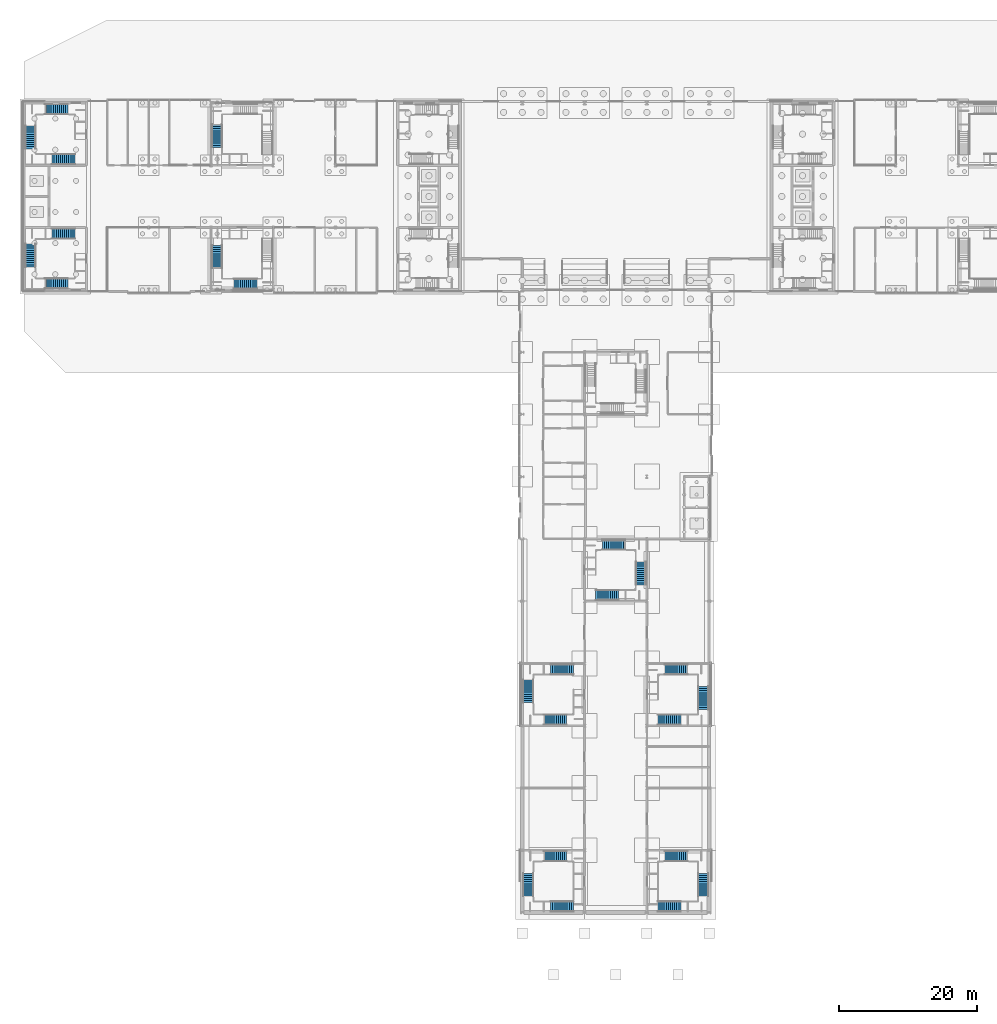
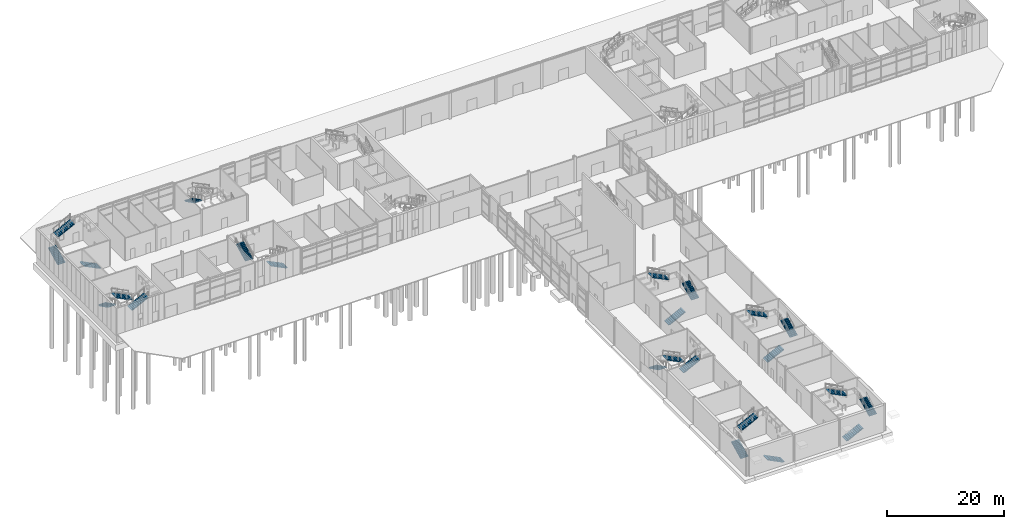
# One storey, part 34 of 45: 24 stair flights, 9 elements without a shape of their own.
"""IFC4 building model written with IfcOpenShell, lengths in metres."""

from ifc_helpers import new_model, si_unit, direction, frame, origin, place, context, subcontext, project, spatial, polyline, outline, extrude, material, type_object, element, aggregate, save


model = new_model("IFC4")

# Units and contexts
model_context = context("Model", 3, precision=1e-05, world=origin(), true_north=direction((0.0, 1.0)))
body_context = subcontext(model_context, "Body", "Model", "MODEL_VIEW")
ifc_project = project(units=[si_unit("LENGTHUNIT", "METRE"), si_unit("AREAUNIT", "SQUARE_METRE"), si_unit("VOLUMEUNIT", "CUBIC_METRE"), si_unit("PLANEANGLEUNIT", "RADIAN"), si_unit("MASSUNIT", "GRAM", prefix="KILO")], contexts=[model_context])

# Site, building, storey
site_placement = place(None, origin())
site = spatial("IfcSite", under=ifc_project, at=site_placement, CompositionType="ELEMENT")
building_placement = place(site_placement, origin())
building = spatial("IfcBuilding", under=site, at=building_placement, Name="Azimuth Sports and Learning Centre", CompositionType="ELEMENT")
storey_placement = place(building_placement, origin())
storey = spatial("IfcBuildingStorey", under=building, at=storey_placement, Name="L00", CompositionType="ELEMENT", Elevation=0.0)

# Stair, stair flights
ifc_material_1 = material(Name="Concrete C32/40", Category="concrete")
stair_type_1 = type_object("IfcStairType", Name="Square-well stair end core 5400 storey", PredefinedType="THREE_QUARTER_TURN_STAIR", material=ifc_material_1)
stair_1_placement = place(storey_placement, origin())
stair_1 = element("IfcStair", 1, at=stair_1_placement, inside=storey, type_object=stair_type_1, Name="Stair WW1 L00-L01", PredefinedType="THREE_QUARTER_TURN_STAIR")
ifc_material_2 = material(Name="Concrete C32/40", Category="concrete")
stair_flight_type = type_object("IfcStairFlightType", Name="Stair flight 12 risers", PredefinedType="STRAIGHT", material=ifc_material_2)
stair_flight_1_placement = place(storey_placement, frame((7.340087890625, 98.114990234375, 0.0), z_axis=(0.0, 0.0, 1.0), x_axis=(-1.0, 0.0, 0.0)))
stair_flight_1 = element("IfcStairFlight", 2, at=stair_flight_1_placement, type_object=stair_flight_type, Name="Stair WW1 L00 flight 1", NumberOfRisers=12, NumberOfTreads=11, PredefinedType="STRAIGHT", RiserHeight=0.15, TreadLength=0.3, context=body_context, shape_type="SweptSolid", body=[
    extrude(outline(polyline([(0.0, 0.0), (0.0, 0.14990234375), (0.300048828125, 0.14990234375), (0.300048828125, 0.300048828125), (0.60009765625, 0.300048828125), (0.60009765625, 0.449951171875), (0.89990234375, 0.449951171875), (0.89990234375, 0.60009765625), (1.199951171875, 0.60009765625), (1.199951171875, 0.75), (1.5, 0.75), (1.5, 0.89990234375), (1.800048828125, 0.89990234375), (1.800048828125, 1.050048828125), (2.10009765625, 1.050048828125), (2.10009765625, 1.199951171875), (2.39990234375, 1.199951171875), (2.39990234375, 1.35009765625), (2.699951171875, 1.35009765625), (2.699951171875, 1.5), (3.0, 1.5), (3.0, 1.64990234375), (3.300048828125, 1.64990234375), (3.300048828125, 1.800048828125), (3.300048828125, 1.482421875), (0.335205078125, 0.0), (0.0, 0.0)])), frame((0.0, 0.75, 0.0), z_axis=(0.0, -1.0, 0.0), x_axis=(1.0, 0.0, 0.0)), (0.0, 0.0, 1.0), 1.5),
])
stair_flight_2_placement = place(storey_placement, frame((0.909912109375, 96.614990234375, 1.800048828125), z_axis=(0.0, 0.0, 1.0), x_axis=(0.0, -1.0, 0.0)))
stair_flight_2 = element("IfcStairFlight", 3, at=stair_flight_2_placement, type_object=stair_flight_type, Name="Stair WW1 L00 flight 2", NumberOfRisers=12, NumberOfTreads=11, PredefinedType="STRAIGHT", RiserHeight=0.15, TreadLength=0.3, context=body_context, shape_type="SweptSolid", body=[
    extrude(outline(polyline([(0.0, 0.0), (0.0, 0.14990234375), (0.300048828125, 0.14990234375), (0.300048828125, 0.300048828125), (0.60009765625, 0.300048828125), (0.60009765625, 0.449951171875), (0.89990234375, 0.449951171875), (0.89990234375, 0.60009765625), (1.199951171875, 0.60009765625), (1.199951171875, 0.75), (1.5, 0.75), (1.5, 0.89990234375), (1.800048828125, 0.89990234375), (1.800048828125, 1.050048828125), (2.10009765625, 1.050048828125), (2.10009765625, 1.199951171875), (2.39990234375, 1.199951171875), (2.39990234375, 1.35009765625), (2.699951171875, 1.35009765625), (2.699951171875, 1.5), (3.0, 1.5), (3.0, 1.64990234375), (3.300048828125, 1.64990234375), (3.300048828125, 1.800048828125), (3.300048828125, 1.482421875), (0.335205078125, 0.0), (0.0, 0.0)])), frame((0.0, 0.75, 0.0), z_axis=(0.0, -1.0, 0.0), x_axis=(1.0, 0.0, 0.0)), (0.0, 0.0, 1.0), 1.5),
])
stair_flight_3_placement = place(storey_placement, frame((3.010009765625, 90.909912109375, 3.60009765625), z_axis=(0.0, 0.0, 1.0), x_axis=(1.0, 0.0, 0.0)))
stair_flight_3 = element("IfcStairFlight", 4, at=stair_flight_3_placement, type_object=stair_flight_type, Name="Stair WW1 L00 flight 3", NumberOfRisers=12, NumberOfTreads=11, PredefinedType="STRAIGHT", RiserHeight=0.15, TreadLength=0.3, context=body_context, shape_type="SweptSolid", body=[
    extrude(outline(polyline([(0.0, 0.0), (0.0, 0.14990234375), (0.300048828125, 0.14990234375), (0.300048828125, 0.300048828125), (0.60009765625, 0.300048828125), (0.60009765625, 0.449951171875), (0.89990234375, 0.449951171875), (0.89990234375, 0.60009765625), (1.199951171875, 0.60009765625), (1.199951171875, 0.75), (1.5, 0.75), (1.5, 0.89990234375), (1.800048828125, 0.89990234375), (1.800048828125, 1.050048828125), (2.10009765625, 1.050048828125), (2.10009765625, 1.199951171875), (2.39990234375, 1.199951171875), (2.39990234375, 1.35009765625), (2.699951171875, 1.35009765625), (2.699951171875, 1.5), (3.0, 1.5), (3.0, 1.64990234375), (3.300048828125, 1.64990234375), (3.300048828125, 1.800048828125), (3.300048828125, 1.482421875), (0.335205078125, 0.0), (0.0, 0.0)])), frame((0.0, 0.75, 0.0), z_axis=(0.0, -1.0, 0.0), x_axis=(1.0, 0.0, 0.0)), (0.0, 0.0, 1.0), 1.5),
])
aggregate(stair_1, [stair_flight_1, stair_flight_2, stair_flight_3])

stair_2_placement = place(storey_placement, origin())
stair_2 = element("IfcStair", 5, at=stair_2_placement, inside=storey, type_object=stair_type_1, Name="Stair WW2 L00-L01", PredefinedType="THREE_QUARTER_TURN_STAIR")
stair_flight_4_placement = place(storey_placement, frame((7.340087890625, 108.885009765625, 0.0), z_axis=(0.0, 0.0, 1.0), x_axis=(-1.0, 0.0, 0.0)))
stair_flight_4 = element("IfcStairFlight", 6, at=stair_flight_4_placement, type_object=stair_flight_type, Name="Stair WW2 L00 flight 1", NumberOfRisers=12, NumberOfTreads=11, PredefinedType="STRAIGHT", RiserHeight=0.15, TreadLength=0.3, context=body_context, shape_type="SweptSolid", body=[
    extrude(outline(polyline([(0.0, 0.0), (0.0, 0.14990234375), (0.300048828125, 0.14990234375), (0.300048828125, 0.300048828125), (0.60009765625, 0.300048828125), (0.60009765625, 0.449951171875), (0.89990234375, 0.449951171875), (0.89990234375, 0.60009765625), (1.199951171875, 0.60009765625), (1.199951171875, 0.75), (1.5, 0.75), (1.5, 0.89990234375), (1.800048828125, 0.89990234375), (1.800048828125, 1.050048828125), (2.10009765625, 1.050048828125), (2.10009765625, 1.199951171875), (2.39990234375, 1.199951171875), (2.39990234375, 1.35009765625), (2.699951171875, 1.35009765625), (2.699951171875, 1.5), (3.0, 1.5), (3.0, 1.64990234375), (3.300048828125, 1.64990234375), (3.300048828125, 1.800048828125), (3.300048828125, 1.482421875), (0.335205078125, 0.0), (0.0, 0.0)])), frame((0.0, 0.75, 0.0), z_axis=(0.0, -1.0, 0.0), x_axis=(1.0, 0.0, 0.0)), (0.0, 0.0, 1.0), 1.5),
])
stair_flight_5_placement = place(storey_placement, frame((0.909912109375, 110.385009765625, 1.800048828125), z_axis=(0.0, 0.0, 1.0), x_axis=(0.0, 1.0, 0.0)))
stair_flight_5 = element("IfcStairFlight", 7, at=stair_flight_5_placement, type_object=stair_flight_type, Name="Stair WW2 L00 flight 2", NumberOfRisers=12, NumberOfTreads=11, PredefinedType="STRAIGHT", RiserHeight=0.15, TreadLength=0.3, context=body_context, shape_type="SweptSolid", body=[
    extrude(outline(polyline([(0.0, 0.0), (0.0, 0.14990234375), (0.300048828125, 0.14990234375), (0.300048828125, 0.300048828125), (0.60009765625, 0.300048828125), (0.60009765625, 0.449951171875), (0.89990234375, 0.449951171875), (0.89990234375, 0.60009765625), (1.199951171875, 0.60009765625), (1.199951171875, 0.75), (1.5, 0.75), (1.5, 0.89990234375), (1.800048828125, 0.89990234375), (1.800048828125, 1.050048828125), (2.10009765625, 1.050048828125), (2.10009765625, 1.199951171875), (2.39990234375, 1.199951171875), (2.39990234375, 1.35009765625), (2.699951171875, 1.35009765625), (2.699951171875, 1.5), (3.0, 1.5), (3.0, 1.64990234375), (3.300048828125, 1.64990234375), (3.300048828125, 1.800048828125), (3.300048828125, 1.482421875), (0.335205078125, 0.0), (0.0, 0.0)])), frame((0.0, 0.75, 0.0), z_axis=(0.0, -1.0, 0.0), x_axis=(1.0, 0.0, 0.0)), (0.0, 0.0, 1.0), 1.5),
])
stair_flight_6_placement = place(storey_placement, frame((3.010009765625, 116.090087890625, 3.60009765625), z_axis=(0.0, 0.0, 1.0), x_axis=(1.0, 0.0, 0.0)))
stair_flight_6 = element("IfcStairFlight", 8, at=stair_flight_6_placement, type_object=stair_flight_type, Name="Stair WW2 L00 flight 3", NumberOfRisers=12, NumberOfTreads=11, PredefinedType="STRAIGHT", RiserHeight=0.15, TreadLength=0.3, context=body_context, shape_type="SweptSolid", body=[
    extrude(outline(polyline([(0.0, 0.0), (0.0, 0.14990234375), (0.300048828125, 0.14990234375), (0.300048828125, 0.300048828125), (0.60009765625, 0.300048828125), (0.60009765625, 0.449951171875), (0.89990234375, 0.449951171875), (0.89990234375, 0.60009765625), (1.199951171875, 0.60009765625), (1.199951171875, 0.75), (1.5, 0.75), (1.5, 0.89990234375), (1.800048828125, 0.89990234375), (1.800048828125, 1.050048828125), (2.10009765625, 1.050048828125), (2.10009765625, 1.199951171875), (2.39990234375, 1.199951171875), (2.39990234375, 1.35009765625), (2.699951171875, 1.35009765625), (2.699951171875, 1.5), (3.0, 1.5), (3.0, 1.64990234375), (3.300048828125, 1.64990234375), (3.300048828125, 1.800048828125), (3.300048828125, 1.482421875), (0.335205078125, 0.0), (0.0, 0.0)])), frame((0.0, 0.75, 0.0), z_axis=(0.0, -1.0, 0.0), x_axis=(1.0, 0.0, 0.0)), (0.0, 0.0, 1.0), 1.5),
])
aggregate(stair_2, [stair_flight_4, stair_flight_5, stair_flight_6])

ifc_material_3 = material(Name="Concrete C32/40", Category="concrete")
stair_type_2 = type_object("IfcStairType", Name="Square-well stair mid-wing cell 5400 storey", PredefinedType="THREE_QUARTER_TURN_STAIR", material=ifc_material_3)
stair_3_placement = place(storey_placement, origin())
stair_3 = element("IfcStair", 9, at=stair_3_placement, inside=storey, type_object=stair_type_2, Name="Stair WM1 L00-L01", PredefinedType="THREE_QUARTER_TURN_STAIR")
stair_flight_7_placement = place(storey_placement, frame((33.639892578125, 90.860107421875, 1.800048828125), z_axis=(0.0, 0.0, 1.0), x_axis=(-1.0, 0.0, 0.0)))
stair_flight_7 = element("IfcStairFlight", 10, at=stair_flight_7_placement, type_object=stair_flight_type, Name="Stair WM1 L00 flight 2", NumberOfRisers=12, NumberOfTreads=11, PredefinedType="STRAIGHT", RiserHeight=0.15, TreadLength=0.3, context=body_context, shape_type="SweptSolid", body=[
    extrude(outline(polyline([(0.0, 0.0), (0.0, 0.14990234375), (0.300048828125, 0.14990234375), (0.300048828125, 0.300048828125), (0.60009765625, 0.300048828125), (0.60009765625, 0.449951171875), (0.89990234375, 0.449951171875), (0.89990234375, 0.60009765625), (1.199951171875, 0.60009765625), (1.199951171875, 0.75), (1.5, 0.75), (1.5, 0.89990234375), (1.800048828125, 0.89990234375), (1.800048828125, 1.050048828125), (2.10009765625, 1.050048828125), (2.10009765625, 1.199951171875), (2.39990234375, 1.199951171875), (2.39990234375, 1.35009765625), (2.699951171875, 1.35009765625), (2.699951171875, 1.5), (3.0, 1.5), (3.0, 1.64990234375), (3.300048828125, 1.64990234375), (3.300048828125, 1.800048828125), (3.300048828125, 1.482421875), (0.335205078125, 0.0), (0.0, 0.0)])), frame((0.0, 0.75, 0.0), z_axis=(0.0, -1.0, 0.0), x_axis=(1.0, 0.0, 0.0)), (0.0, 0.0, 1.0), 1.5),
])
stair_flight_8_placement = place(storey_placement, frame((27.860107421875, 93.110107421875, 3.60009765625), z_axis=(0.0, 0.0, 1.0), x_axis=(0.0, 1.0, 0.0)))
stair_flight_8 = element("IfcStairFlight", 11, at=stair_flight_8_placement, type_object=stair_flight_type, Name="Stair WM1 L00 flight 3", NumberOfRisers=12, NumberOfTreads=11, PredefinedType="STRAIGHT", RiserHeight=0.15, TreadLength=0.3, context=body_context, shape_type="SweptSolid", body=[
    extrude(outline(polyline([(0.0, 0.0), (0.0, 0.14990234375), (0.300048828125, 0.14990234375), (0.300048828125, 0.300048828125), (0.60009765625, 0.300048828125), (0.60009765625, 0.449951171875), (0.89990234375, 0.449951171875), (0.89990234375, 0.60009765625), (1.199951171875, 0.60009765625), (1.199951171875, 0.75), (1.5, 0.75), (1.5, 0.89990234375), (1.800048828125, 0.89990234375), (1.800048828125, 1.050048828125), (2.10009765625, 1.050048828125), (2.10009765625, 1.199951171875), (2.39990234375, 1.199951171875), (2.39990234375, 1.35009765625), (2.699951171875, 1.35009765625), (2.699951171875, 1.5), (3.0, 1.5), (3.0, 1.64990234375), (3.300048828125, 1.64990234375), (3.300048828125, 1.800048828125), (3.300048828125, 1.482421875), (0.335205078125, 0.0), (0.0, 0.0)])), frame((0.0, 0.75, 0.0), z_axis=(0.0, -1.0, 0.0), x_axis=(1.0, 0.0, 0.0)), (0.0, 0.0, 1.0), 1.5),
])
aggregate(stair_3, [stair_flight_7, stair_flight_8])

# Stair, stair flight
stair_4_placement = place(storey_placement, origin())
stair_4 = element("IfcStair", 12, at=stair_4_placement, inside=storey, type_object=stair_type_2, Name="Stair WM2 L00-L01", PredefinedType="THREE_QUARTER_TURN_STAIR")
stair_flight_9_placement = place(storey_placement, frame((27.860107421875, 113.889892578125, 3.60009765625), z_axis=(0.0, 0.0, 1.0), x_axis=(0.0, -1.0, 0.0)))
stair_flight_9 = element("IfcStairFlight", 13, at=stair_flight_9_placement, type_object=stair_flight_type, Name="Stair WM2 L00 flight 3", NumberOfRisers=12, NumberOfTreads=11, PredefinedType="STRAIGHT", RiserHeight=0.15, TreadLength=0.3, context=body_context, shape_type="SweptSolid", body=[
    extrude(outline(polyline([(0.0, 0.0), (0.0, 0.14990234375), (0.300048828125, 0.14990234375), (0.300048828125, 0.300048828125), (0.60009765625, 0.300048828125), (0.60009765625, 0.449951171875), (0.89990234375, 0.449951171875), (0.89990234375, 0.60009765625), (1.199951171875, 0.60009765625), (1.199951171875, 0.75), (1.5, 0.75), (1.5, 0.89990234375), (1.800048828125, 0.89990234375), (1.800048828125, 1.050048828125), (2.10009765625, 1.050048828125), (2.10009765625, 1.199951171875), (2.39990234375, 1.199951171875), (2.39990234375, 1.35009765625), (2.699951171875, 1.35009765625), (2.699951171875, 1.5), (3.0, 1.5), (3.0, 1.64990234375), (3.300048828125, 1.64990234375), (3.300048828125, 1.800048828125), (3.300048828125, 1.482421875), (0.335205078125, 0.0), (0.0, 0.0)])), frame((0.0, 0.75, 0.0), z_axis=(0.0, -1.0, 0.0), x_axis=(1.0, 0.0, 0.0)), (0.0, 0.0, 1.0), 1.5),
])
aggregate(stair_4, [stair_flight_9])

# Stair, stair flights
ifc_material_4 = material(Name="Concrete C32/40", Category="concrete")
stair_type_3 = type_object("IfcStairType", Name="Square-well stair stem cell 5400 storey", PredefinedType="THREE_QUARTER_TURN_STAIR", material=ifc_material_4)
stair_5_placement = place(storey_placement, origin())
stair_5 = element("IfcStair", 14, at=stair_5_placement, inside=storey, type_object=stair_type_3, Name="Stair ST1 L00-L01", PredefinedType="THREE_QUARTER_TURN_STAIR")
stair_flight_10_placement = place(storey_placement, frame((79.389892578125, 0.860107421875, 0.0), z_axis=(0.0, 0.0, 1.0), x_axis=(-1.0, 0.0, 0.0)))
stair_flight_10 = element("IfcStairFlight", 15, at=stair_flight_10_placement, type_object=stair_flight_type, Name="Stair ST1 L00 flight 1", NumberOfRisers=12, NumberOfTreads=11, PredefinedType="STRAIGHT", RiserHeight=0.15, TreadLength=0.3, context=body_context, shape_type="SweptSolid", body=[
    extrude(outline(polyline([(0.0, 0.0), (0.0, 0.14990234375), (0.300048828125, 0.14990234375), (0.300048828125, 0.300048828125), (0.60009765625, 0.300048828125), (0.60009765625, 0.449951171875), (0.89990234375, 0.449951171875), (0.89990234375, 0.60009765625), (1.199951171875, 0.60009765625), (1.199951171875, 0.75), (1.5, 0.75), (1.5, 0.89990234375), (1.800048828125, 0.89990234375), (1.800048828125, 1.050048828125), (2.10009765625, 1.050048828125), (2.10009765625, 1.199951171875), (2.39990234375, 1.199951171875), (2.39990234375, 1.35009765625), (2.699951171875, 1.35009765625), (2.699951171875, 1.5), (3.0, 1.5), (3.0, 1.64990234375), (3.300048828125, 1.64990234375), (3.300048828125, 1.800048828125), (3.300048828125, 1.482421875), (0.335205078125, 0.0), (0.0, 0.0)])), frame((0.0, 0.75, 0.0), z_axis=(0.0, -1.0, 0.0), x_axis=(1.0, 0.0, 0.0)), (0.0, 0.0, 1.0), 1.5),
])
stair_flight_11_placement = place(storey_placement, frame((72.860107421875, 2.360107421875, 1.800048828125), z_axis=(0.0, 0.0, 1.0), x_axis=(0.0, 1.0, 0.0)))
stair_flight_11 = element("IfcStairFlight", 16, at=stair_flight_11_placement, type_object=stair_flight_type, Name="Stair ST1 L00 flight 2", NumberOfRisers=12, NumberOfTreads=11, PredefinedType="STRAIGHT", RiserHeight=0.15, TreadLength=0.3, context=body_context, shape_type="SweptSolid", body=[
    extrude(outline(polyline([(0.0, 0.0), (0.0, 0.14990234375), (0.300048828125, 0.14990234375), (0.300048828125, 0.300048828125), (0.60009765625, 0.300048828125), (0.60009765625, 0.449951171875), (0.89990234375, 0.449951171875), (0.89990234375, 0.60009765625), (1.199951171875, 0.60009765625), (1.199951171875, 0.75), (1.5, 0.75), (1.5, 0.89990234375), (1.800048828125, 0.89990234375), (1.800048828125, 1.050048828125), (2.10009765625, 1.050048828125), (2.10009765625, 1.199951171875), (2.39990234375, 1.199951171875), (2.39990234375, 1.35009765625), (2.699951171875, 1.35009765625), (2.699951171875, 1.5), (3.0, 1.5), (3.0, 1.64990234375), (3.300048828125, 1.64990234375), (3.300048828125, 1.800048828125), (3.300048828125, 1.482421875), (0.335205078125, 0.0), (0.0, 0.0)])), frame((0.0, 0.75, 0.0), z_axis=(0.0, -1.0, 0.0), x_axis=(1.0, 0.0, 0.0)), (0.0, 0.0, 1.0), 1.5),
])
stair_flight_12_placement = place(storey_placement, frame((75.110107421875, 8.139892578125, 3.60009765625), z_axis=(0.0, 0.0, 1.0), x_axis=(1.0, 0.0, 0.0)))
stair_flight_12 = element("IfcStairFlight", 17, at=stair_flight_12_placement, type_object=stair_flight_type, Name="Stair ST1 L00 flight 3", NumberOfRisers=12, NumberOfTreads=11, PredefinedType="STRAIGHT", RiserHeight=0.15, TreadLength=0.3, context=body_context, shape_type="SweptSolid", body=[
    extrude(outline(polyline([(0.0, 0.0), (0.0, 0.14990234375), (0.300048828125, 0.14990234375), (0.300048828125, 0.300048828125), (0.60009765625, 0.300048828125), (0.60009765625, 0.449951171875), (0.89990234375, 0.449951171875), (0.89990234375, 0.60009765625), (1.199951171875, 0.60009765625), (1.199951171875, 0.75), (1.5, 0.75), (1.5, 0.89990234375), (1.800048828125, 0.89990234375), (1.800048828125, 1.050048828125), (2.10009765625, 1.050048828125), (2.10009765625, 1.199951171875), (2.39990234375, 1.199951171875), (2.39990234375, 1.35009765625), (2.699951171875, 1.35009765625), (2.699951171875, 1.5), (3.0, 1.5), (3.0, 1.64990234375), (3.300048828125, 1.64990234375), (3.300048828125, 1.800048828125), (3.300048828125, 1.482421875), (0.335205078125, 0.0), (0.0, 0.0)])), frame((0.0, 0.75, 0.0), z_axis=(0.0, -1.0, 0.0), x_axis=(1.0, 0.0, 0.0)), (0.0, 0.0, 1.0), 1.5),
])
aggregate(stair_5, [stair_flight_10, stair_flight_11, stair_flight_12])

stair_6_placement = place(storey_placement, origin())
stair_6 = element("IfcStair", 18, at=stair_6_placement, inside=storey, type_object=stair_type_3, Name="Stair ST2 L00-L01", PredefinedType="THREE_QUARTER_TURN_STAIR")
stair_flight_13_placement = place(storey_placement, frame((91.610107421875, 0.860107421875, 0.0), z_axis=(0.0, 0.0, 1.0), x_axis=(1.0, 0.0, 0.0)))
stair_flight_13 = element("IfcStairFlight", 19, at=stair_flight_13_placement, type_object=stair_flight_type, Name="Stair ST2 L00 flight 1", NumberOfRisers=12, NumberOfTreads=11, PredefinedType="STRAIGHT", RiserHeight=0.15, TreadLength=0.3, context=body_context, shape_type="SweptSolid", body=[
    extrude(outline(polyline([(0.0, 0.0), (0.0, 0.14990234375), (0.300048828125, 0.14990234375), (0.300048828125, 0.300048828125), (0.60009765625, 0.300048828125), (0.60009765625, 0.449951171875), (0.89990234375, 0.449951171875), (0.89990234375, 0.60009765625), (1.199951171875, 0.60009765625), (1.199951171875, 0.75), (1.5, 0.75), (1.5, 0.89990234375), (1.800048828125, 0.89990234375), (1.800048828125, 1.050048828125), (2.10009765625, 1.050048828125), (2.10009765625, 1.199951171875), (2.39990234375, 1.199951171875), (2.39990234375, 1.35009765625), (2.699951171875, 1.35009765625), (2.699951171875, 1.5), (3.0, 1.5), (3.0, 1.64990234375), (3.300048828125, 1.64990234375), (3.300048828125, 1.800048828125), (3.300048828125, 1.482421875), (0.335205078125, 0.0), (0.0, 0.0)])), frame((0.0, 0.75, 0.0), z_axis=(0.0, -1.0, 0.0), x_axis=(1.0, 0.0, 0.0)), (0.0, 0.0, 1.0), 1.5),
])
stair_flight_14_placement = place(storey_placement, frame((98.139892578125, 2.360107421875, 1.800048828125), z_axis=(0.0, 0.0, 1.0), x_axis=(0.0, 1.0, 0.0)))
stair_flight_14 = element("IfcStairFlight", 20, at=stair_flight_14_placement, type_object=stair_flight_type, Name="Stair ST2 L00 flight 2", NumberOfRisers=12, NumberOfTreads=11, PredefinedType="STRAIGHT", RiserHeight=0.15, TreadLength=0.3, context=body_context, shape_type="SweptSolid", body=[
    extrude(outline(polyline([(0.0, 0.0), (0.0, 0.14990234375), (0.300048828125, 0.14990234375), (0.300048828125, 0.300048828125), (0.60009765625, 0.300048828125), (0.60009765625, 0.449951171875), (0.89990234375, 0.449951171875), (0.89990234375, 0.60009765625), (1.199951171875, 0.60009765625), (1.199951171875, 0.75), (1.5, 0.75), (1.5, 0.89990234375), (1.800048828125, 0.89990234375), (1.800048828125, 1.050048828125), (2.10009765625, 1.050048828125), (2.10009765625, 1.199951171875), (2.39990234375, 1.199951171875), (2.39990234375, 1.35009765625), (2.699951171875, 1.35009765625), (2.699951171875, 1.5), (3.0, 1.5), (3.0, 1.64990234375), (3.300048828125, 1.64990234375), (3.300048828125, 1.800048828125), (3.300048828125, 1.482421875), (0.335205078125, 0.0), (0.0, 0.0)])), frame((0.0, 0.75, 0.0), z_axis=(0.0, -1.0, 0.0), x_axis=(1.0, 0.0, 0.0)), (0.0, 0.0, 1.0), 1.5),
])
stair_flight_15_placement = place(storey_placement, frame((95.889892578125, 8.139892578125, 3.60009765625), z_axis=(0.0, 0.0, 1.0), x_axis=(-1.0, 0.0, 0.0)))
stair_flight_15 = element("IfcStairFlight", 21, at=stair_flight_15_placement, type_object=stair_flight_type, Name="Stair ST2 L00 flight 3", NumberOfRisers=12, NumberOfTreads=11, PredefinedType="STRAIGHT", RiserHeight=0.15, TreadLength=0.3, context=body_context, shape_type="SweptSolid", body=[
    extrude(outline(polyline([(0.0, 0.0), (0.0, 0.14990234375), (0.300048828125, 0.14990234375), (0.300048828125, 0.300048828125), (0.60009765625, 0.300048828125), (0.60009765625, 0.449951171875), (0.89990234375, 0.449951171875), (0.89990234375, 0.60009765625), (1.199951171875, 0.60009765625), (1.199951171875, 0.75), (1.5, 0.75), (1.5, 0.89990234375), (1.800048828125, 0.89990234375), (1.800048828125, 1.050048828125), (2.10009765625, 1.050048828125), (2.10009765625, 1.199951171875), (2.39990234375, 1.199951171875), (2.39990234375, 1.35009765625), (2.699951171875, 1.35009765625), (2.699951171875, 1.5), (3.0, 1.5), (3.0, 1.64990234375), (3.300048828125, 1.64990234375), (3.300048828125, 1.800048828125), (3.300048828125, 1.482421875), (0.335205078125, 0.0), (0.0, 0.0)])), frame((0.0, 0.75, 0.0), z_axis=(0.0, -1.0, 0.0), x_axis=(1.0, 0.0, 0.0)), (0.0, 0.0, 1.0), 1.5),
])
aggregate(stair_6, [stair_flight_13, stair_flight_14, stair_flight_15])

stair_7_placement = place(storey_placement, origin())
stair_7 = element("IfcStair", 22, at=stair_7_placement, inside=storey, type_object=stair_type_3, Name="Stair ST3 L00-L01", PredefinedType="THREE_QUARTER_TURN_STAIR")
stair_flight_16_placement = place(storey_placement, frame((79.389892578125, 35.139892578125, 0.0), z_axis=(0.0, 0.0, 1.0), x_axis=(-1.0, 0.0, 0.0)))
stair_flight_16 = element("IfcStairFlight", 23, at=stair_flight_16_placement, type_object=stair_flight_type, Name="Stair ST3 L00 flight 1", NumberOfRisers=12, NumberOfTreads=11, PredefinedType="STRAIGHT", RiserHeight=0.15, TreadLength=0.3, context=body_context, shape_type="SweptSolid", body=[
    extrude(outline(polyline([(0.0, 0.0), (0.0, 0.14990234375), (0.300048828125, 0.14990234375), (0.300048828125, 0.300048828125), (0.60009765625, 0.300048828125), (0.60009765625, 0.449951171875), (0.89990234375, 0.449951171875), (0.89990234375, 0.60009765625), (1.199951171875, 0.60009765625), (1.199951171875, 0.75), (1.5, 0.75), (1.5, 0.89990234375), (1.800048828125, 0.89990234375), (1.800048828125, 1.050048828125), (2.10009765625, 1.050048828125), (2.10009765625, 1.199951171875), (2.39990234375, 1.199951171875), (2.39990234375, 1.35009765625), (2.699951171875, 1.35009765625), (2.699951171875, 1.5), (3.0, 1.5), (3.0, 1.64990234375), (3.300048828125, 1.64990234375), (3.300048828125, 1.800048828125), (3.300048828125, 1.482421875), (0.335205078125, 0.0), (0.0, 0.0)])), frame((0.0, 0.75, 0.0), z_axis=(0.0, -1.0, 0.0), x_axis=(1.0, 0.0, 0.0)), (0.0, 0.0, 1.0), 1.5),
])
stair_flight_17_placement = place(storey_placement, frame((72.860107421875, 33.639892578125, 1.800048828125), z_axis=(0.0, 0.0, 1.0), x_axis=(0.0, -1.0, 0.0)))
stair_flight_17 = element("IfcStairFlight", 24, at=stair_flight_17_placement, type_object=stair_flight_type, Name="Stair ST3 L00 flight 2", NumberOfRisers=12, NumberOfTreads=11, PredefinedType="STRAIGHT", RiserHeight=0.15, TreadLength=0.3, context=body_context, shape_type="SweptSolid", body=[
    extrude(outline(polyline([(0.0, 0.0), (0.0, 0.14990234375), (0.300048828125, 0.14990234375), (0.300048828125, 0.300048828125), (0.60009765625, 0.300048828125), (0.60009765625, 0.449951171875), (0.89990234375, 0.449951171875), (0.89990234375, 0.60009765625), (1.199951171875, 0.60009765625), (1.199951171875, 0.75), (1.5, 0.75), (1.5, 0.89990234375), (1.800048828125, 0.89990234375), (1.800048828125, 1.050048828125), (2.10009765625, 1.050048828125), (2.10009765625, 1.199951171875), (2.39990234375, 1.199951171875), (2.39990234375, 1.35009765625), (2.699951171875, 1.35009765625), (2.699951171875, 1.5), (3.0, 1.5), (3.0, 1.64990234375), (3.300048828125, 1.64990234375), (3.300048828125, 1.800048828125), (3.300048828125, 1.482421875), (0.335205078125, 0.0), (0.0, 0.0)])), frame((0.0, 0.75, 0.0), z_axis=(0.0, -1.0, 0.0), x_axis=(1.0, 0.0, 0.0)), (0.0, 0.0, 1.0), 1.5),
])
stair_flight_18_placement = place(storey_placement, frame((75.110107421875, 27.860107421875, 3.60009765625), z_axis=(0.0, 0.0, 1.0), x_axis=(1.0, 0.0, 0.0)))
stair_flight_18 = element("IfcStairFlight", 25, at=stair_flight_18_placement, type_object=stair_flight_type, Name="Stair ST3 L00 flight 3", NumberOfRisers=12, NumberOfTreads=11, PredefinedType="STRAIGHT", RiserHeight=0.15, TreadLength=0.3, context=body_context, shape_type="SweptSolid", body=[
    extrude(outline(polyline([(0.0, 0.0), (0.0, 0.14990234375), (0.300048828125, 0.14990234375), (0.300048828125, 0.300048828125), (0.60009765625, 0.300048828125), (0.60009765625, 0.449951171875), (0.89990234375, 0.449951171875), (0.89990234375, 0.60009765625), (1.199951171875, 0.60009765625), (1.199951171875, 0.75), (1.5, 0.75), (1.5, 0.89990234375), (1.800048828125, 0.89990234375), (1.800048828125, 1.050048828125), (2.10009765625, 1.050048828125), (2.10009765625, 1.199951171875), (2.39990234375, 1.199951171875), (2.39990234375, 1.35009765625), (2.699951171875, 1.35009765625), (2.699951171875, 1.5), (3.0, 1.5), (3.0, 1.64990234375), (3.300048828125, 1.64990234375), (3.300048828125, 1.800048828125), (3.300048828125, 1.482421875), (0.335205078125, 0.0), (0.0, 0.0)])), frame((0.0, 0.75, 0.0), z_axis=(0.0, -1.0, 0.0), x_axis=(1.0, 0.0, 0.0)), (0.0, 0.0, 1.0), 1.5),
])
aggregate(stair_7, [stair_flight_16, stair_flight_17, stair_flight_18])

stair_8_placement = place(storey_placement, origin())
stair_8 = element("IfcStair", 26, at=stair_8_placement, inside=storey, type_object=stair_type_3, Name="Stair ST4 L00-L01", PredefinedType="THREE_QUARTER_TURN_STAIR")
stair_flight_19_placement = place(storey_placement, frame((91.610107421875, 27.860107421875, 0.0), z_axis=(0.0, 0.0, 1.0), x_axis=(1.0, 0.0, 0.0)))
stair_flight_19 = element("IfcStairFlight", 27, at=stair_flight_19_placement, type_object=stair_flight_type, Name="Stair ST4 L00 flight 1", NumberOfRisers=12, NumberOfTreads=11, PredefinedType="STRAIGHT", RiserHeight=0.15, TreadLength=0.3, context=body_context, shape_type="SweptSolid", body=[
    extrude(outline(polyline([(0.0, 0.0), (0.0, 0.14990234375), (0.300048828125, 0.14990234375), (0.300048828125, 0.300048828125), (0.60009765625, 0.300048828125), (0.60009765625, 0.449951171875), (0.89990234375, 0.449951171875), (0.89990234375, 0.60009765625), (1.199951171875, 0.60009765625), (1.199951171875, 0.75), (1.5, 0.75), (1.5, 0.89990234375), (1.800048828125, 0.89990234375), (1.800048828125, 1.050048828125), (2.10009765625, 1.050048828125), (2.10009765625, 1.199951171875), (2.39990234375, 1.199951171875), (2.39990234375, 1.35009765625), (2.699951171875, 1.35009765625), (2.699951171875, 1.5), (3.0, 1.5), (3.0, 1.64990234375), (3.300048828125, 1.64990234375), (3.300048828125, 1.800048828125), (3.300048828125, 1.482421875), (0.335205078125, 0.0), (0.0, 0.0)])), frame((0.0, 0.75, 0.0), z_axis=(0.0, -1.0, 0.0), x_axis=(1.0, 0.0, 0.0)), (0.0, 0.0, 1.0), 1.5),
])
stair_flight_20_placement = place(storey_placement, frame((98.139892578125, 29.360107421875, 1.800048828125), z_axis=(0.0, 0.0, 1.0), x_axis=(0.0, 1.0, 0.0)))
stair_flight_20 = element("IfcStairFlight", 28, at=stair_flight_20_placement, type_object=stair_flight_type, Name="Stair ST4 L00 flight 2", NumberOfRisers=12, NumberOfTreads=11, PredefinedType="STRAIGHT", RiserHeight=0.15, TreadLength=0.3, context=body_context, shape_type="SweptSolid", body=[
    extrude(outline(polyline([(0.0, 0.0), (0.0, 0.14990234375), (0.300048828125, 0.14990234375), (0.300048828125, 0.300048828125), (0.60009765625, 0.300048828125), (0.60009765625, 0.449951171875), (0.89990234375, 0.449951171875), (0.89990234375, 0.60009765625), (1.199951171875, 0.60009765625), (1.199951171875, 0.75), (1.5, 0.75), (1.5, 0.89990234375), (1.800048828125, 0.89990234375), (1.800048828125, 1.050048828125), (2.10009765625, 1.050048828125), (2.10009765625, 1.199951171875), (2.39990234375, 1.199951171875), (2.39990234375, 1.35009765625), (2.699951171875, 1.35009765625), (2.699951171875, 1.5), (3.0, 1.5), (3.0, 1.64990234375), (3.300048828125, 1.64990234375), (3.300048828125, 1.800048828125), (3.300048828125, 1.482421875), (0.335205078125, 0.0), (0.0, 0.0)])), frame((0.0, 0.75, 0.0), z_axis=(0.0, -1.0, 0.0), x_axis=(1.0, 0.0, 0.0)), (0.0, 0.0, 1.0), 1.5),
])
stair_flight_21_placement = place(storey_placement, frame((95.889892578125, 35.139892578125, 3.60009765625), z_axis=(0.0, 0.0, 1.0), x_axis=(-1.0, 0.0, 0.0)))
stair_flight_21 = element("IfcStairFlight", 29, at=stair_flight_21_placement, type_object=stair_flight_type, Name="Stair ST4 L00 flight 3", NumberOfRisers=12, NumberOfTreads=11, PredefinedType="STRAIGHT", RiserHeight=0.15, TreadLength=0.3, context=body_context, shape_type="SweptSolid", body=[
    extrude(outline(polyline([(0.0, 0.0), (0.0, 0.14990234375), (0.300048828125, 0.14990234375), (0.300048828125, 0.300048828125), (0.60009765625, 0.300048828125), (0.60009765625, 0.449951171875), (0.89990234375, 0.449951171875), (0.89990234375, 0.60009765625), (1.199951171875, 0.60009765625), (1.199951171875, 0.75), (1.5, 0.75), (1.5, 0.89990234375), (1.800048828125, 0.89990234375), (1.800048828125, 1.050048828125), (2.10009765625, 1.050048828125), (2.10009765625, 1.199951171875), (2.39990234375, 1.199951171875), (2.39990234375, 1.35009765625), (2.699951171875, 1.35009765625), (2.699951171875, 1.5), (3.0, 1.5), (3.0, 1.64990234375), (3.300048828125, 1.64990234375), (3.300048828125, 1.800048828125), (3.300048828125, 1.482421875), (0.335205078125, 0.0), (0.0, 0.0)])), frame((0.0, 0.75, 0.0), z_axis=(0.0, -1.0, 0.0), x_axis=(1.0, 0.0, 0.0)), (0.0, 0.0, 1.0), 1.5),
])
aggregate(stair_8, [stair_flight_19, stair_flight_20, stair_flight_21])

stair_9_placement = place(storey_placement, origin())
stair_9 = element("IfcStair", 30, at=stair_9_placement, inside=storey, type_object=stair_type_3, Name="Stair STC L00-L01", PredefinedType="THREE_QUARTER_TURN_STAIR")
stair_flight_22_placement = place(storey_placement, frame((82.610107421875, 45.860107421875, 0.0), z_axis=(0.0, 0.0, 1.0), x_axis=(1.0, 0.0, 0.0)))
stair_flight_22 = element("IfcStairFlight", 31, at=stair_flight_22_placement, type_object=stair_flight_type, Name="Stair STC L00 flight 1", NumberOfRisers=12, NumberOfTreads=11, PredefinedType="STRAIGHT", RiserHeight=0.15, TreadLength=0.3, context=body_context, shape_type="SweptSolid", body=[
    extrude(outline(polyline([(0.0, 0.0), (0.0, 0.14990234375), (0.300048828125, 0.14990234375), (0.300048828125, 0.300048828125), (0.60009765625, 0.300048828125), (0.60009765625, 0.449951171875), (0.89990234375, 0.449951171875), (0.89990234375, 0.60009765625), (1.199951171875, 0.60009765625), (1.199951171875, 0.75), (1.5, 0.75), (1.5, 0.89990234375), (1.800048828125, 0.89990234375), (1.800048828125, 1.050048828125), (2.10009765625, 1.050048828125), (2.10009765625, 1.199951171875), (2.39990234375, 1.199951171875), (2.39990234375, 1.35009765625), (2.699951171875, 1.35009765625), (2.699951171875, 1.5), (3.0, 1.5), (3.0, 1.64990234375), (3.300048828125, 1.64990234375), (3.300048828125, 1.800048828125), (3.300048828125, 1.482421875), (0.335205078125, 0.0), (0.0, 0.0)])), frame((0.0, 0.75, 0.0), z_axis=(0.0, -1.0, 0.0), x_axis=(1.0, 0.0, 0.0)), (0.0, 0.0, 1.0), 1.5),
])
stair_flight_23_placement = place(storey_placement, frame((89.139892578125, 47.360107421875, 1.800048828125), z_axis=(0.0, 0.0, 1.0), x_axis=(0.0, 1.0, 0.0)))
stair_flight_23 = element("IfcStairFlight", 32, at=stair_flight_23_placement, type_object=stair_flight_type, Name="Stair STC L00 flight 2", NumberOfRisers=12, NumberOfTreads=11, PredefinedType="STRAIGHT", RiserHeight=0.15, TreadLength=0.3, context=body_context, shape_type="SweptSolid", body=[
    extrude(outline(polyline([(0.0, 0.0), (0.0, 0.14990234375), (0.300048828125, 0.14990234375), (0.300048828125, 0.300048828125), (0.60009765625, 0.300048828125), (0.60009765625, 0.449951171875), (0.89990234375, 0.449951171875), (0.89990234375, 0.60009765625), (1.199951171875, 0.60009765625), (1.199951171875, 0.75), (1.5, 0.75), (1.5, 0.89990234375), (1.800048828125, 0.89990234375), (1.800048828125, 1.050048828125), (2.10009765625, 1.050048828125), (2.10009765625, 1.199951171875), (2.39990234375, 1.199951171875), (2.39990234375, 1.35009765625), (2.699951171875, 1.35009765625), (2.699951171875, 1.5), (3.0, 1.5), (3.0, 1.64990234375), (3.300048828125, 1.64990234375), (3.300048828125, 1.800048828125), (3.300048828125, 1.482421875), (0.335205078125, 0.0), (0.0, 0.0)])), frame((0.0, 0.75, 0.0), z_axis=(0.0, -1.0, 0.0), x_axis=(1.0, 0.0, 0.0)), (0.0, 0.0, 1.0), 1.5),
])
stair_flight_24_placement = place(storey_placement, frame((86.889892578125, 53.139892578125, 3.60009765625), z_axis=(0.0, 0.0, 1.0), x_axis=(-1.0, 0.0, 0.0)))
stair_flight_24 = element("IfcStairFlight", 33, at=stair_flight_24_placement, type_object=stair_flight_type, Name="Stair STC L00 flight 3", NumberOfRisers=12, NumberOfTreads=11, PredefinedType="STRAIGHT", RiserHeight=0.15, TreadLength=0.3, context=body_context, shape_type="SweptSolid", body=[
    extrude(outline(polyline([(0.0, 0.0), (0.0, 0.14990234375), (0.300048828125, 0.14990234375), (0.300048828125, 0.300048828125), (0.60009765625, 0.300048828125), (0.60009765625, 0.449951171875), (0.89990234375, 0.449951171875), (0.89990234375, 0.60009765625), (1.199951171875, 0.60009765625), (1.199951171875, 0.75), (1.5, 0.75), (1.5, 0.89990234375), (1.800048828125, 0.89990234375), (1.800048828125, 1.050048828125), (2.10009765625, 1.050048828125), (2.10009765625, 1.199951171875), (2.39990234375, 1.199951171875), (2.39990234375, 1.35009765625), (2.699951171875, 1.35009765625), (2.699951171875, 1.5), (3.0, 1.5), (3.0, 1.64990234375), (3.300048828125, 1.64990234375), (3.300048828125, 1.800048828125), (3.300048828125, 1.482421875), (0.335205078125, 0.0), (0.0, 0.0)])), frame((0.0, 0.75, 0.0), z_axis=(0.0, -1.0, 0.0), x_axis=(1.0, 0.0, 0.0)), (0.0, 0.0, 1.0), 1.5),
])
aggregate(stair_9, [stair_flight_22, stair_flight_23, stair_flight_24])

save(model, "model.ifc")
